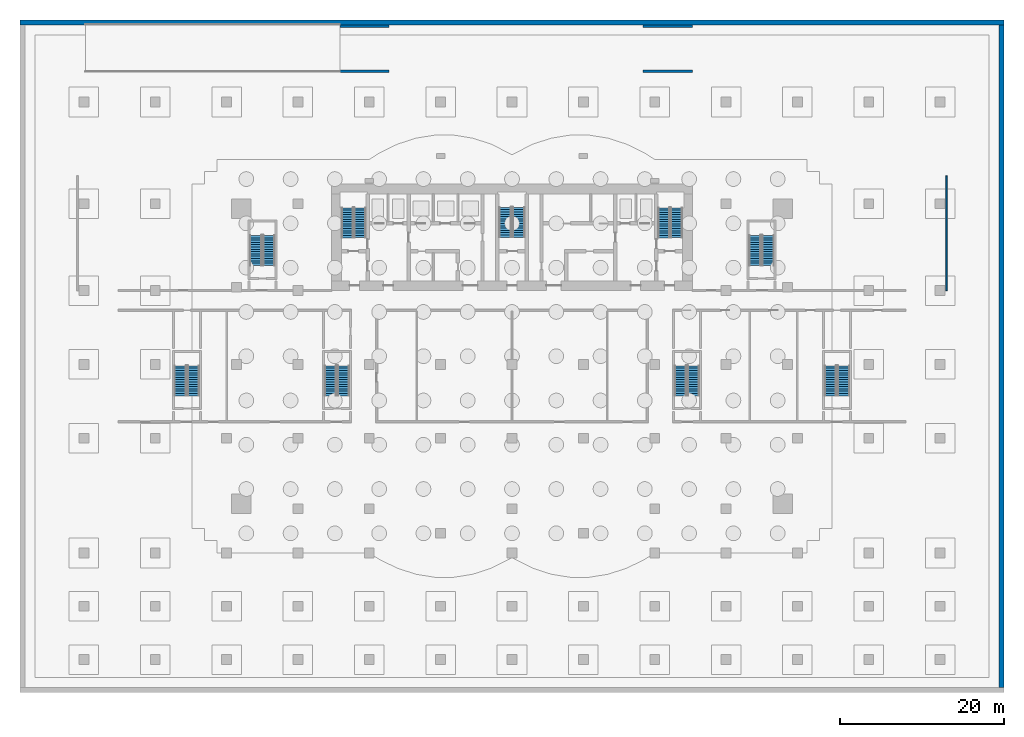
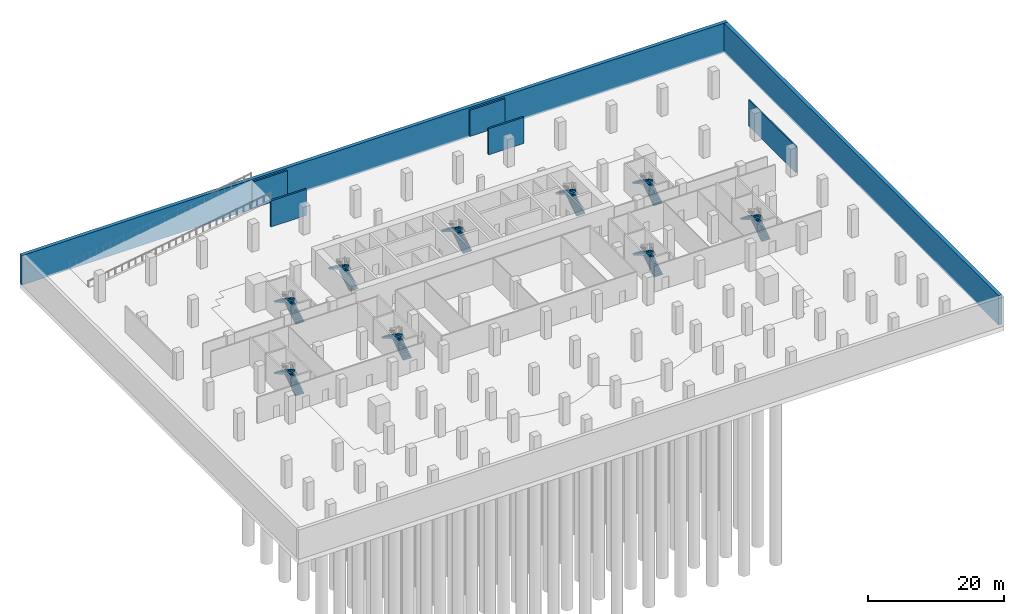
# One storey, part 7 of 10: 18 stair flights, 7 walls, 9 elements without a shape of their own.
"""IFC4 building model written with IfcOpenShell, lengths in metres."""

import ifcopenshell
import ifcopenshell.guid

model = None  # the IFC model being written
_history = None  # IfcOwnerHistory: only IFC2X3 demands one
_inside = {}  # id of a spatial element -> (the spatial element, [elements in it])
_under = {}  # id of a project, library or spatial element -> (it, [spatial elements below it])
_declared = {}  # id of a project -> (the project, [libraries it declares])
_typed = {}  # id of a type object -> (the type object, [elements of that type])
_made_of = {}  # id of a material, layer set ... -> (it, [elements and type objects made of it])


def new_model(schema):
    """Start an empty IFC model of exactly this schema.

    Asked for "IFC4X3", IfcOpenShell would pick the latest addendum, in which some entities
    have other attributes; the version numbers below select the first issue.
    IFC2X3 requires an IfcOwnerHistory on every rooted entity: one is made here for all.
    """
    global model, _history
    if schema == "IFC4X3":
        model = ifcopenshell.file(schema_version=(4, 3, 0, 0))
    else:
        model = ifcopenshell.file(schema=schema)
    _inside.clear()
    _under.clear()
    _declared.clear()
    _typed.clear()
    _made_of.clear()
    _history = None
    if model.schema == "IFC2X3":
        org = make("IfcOrganization", Name="unknown")
        user = make(
            "IfcPersonAndOrganization",
            ThePerson=make("IfcPerson", FamilyName="unknown"),
            TheOrganization=org,
        )
        app = make(
            "IfcApplication",
            ApplicationDeveloper=org,
            Version="unknown",
            ApplicationFullName="unknown",
            ApplicationIdentifier="unknown",
        )
        _history = make(
            "IfcOwnerHistory",
            OwningUser=user,
            OwningApplication=app,
            ChangeAction="ADDED",
            CreationDate=0,
        )
    return model


def make(cls, **values):
    """One entity of the class cls with the attributes given. An attribute that is None is left unset."""
    return model.create_entity(
        cls, **{name: value for name, value in values.items() if value is not None}
    )


def rooted(cls, **values):
    """An entity with a GlobalId (a new one), such as an element, a storey or a relation."""
    return make(cls, GlobalId=ifcopenshell.guid.new(), OwnerHistory=_history, **values)


def si_unit(unit_type, name, prefix=None):
    """IfcSIUnit, for example si_unit("LENGTHUNIT", "METRE", prefix="MILLI")."""
    return make("IfcSIUnit", UnitType=unit_type, Prefix=prefix, Name=name)


def assignment(units):
    """IfcUnitAssignment: the units of a project."""
    return None if units is None else make("IfcUnitAssignment", Units=units)


def point(xyz):
    """IfcCartesianPoint."""
    return None if xyz is None else make("IfcCartesianPoint", Coordinates=xyz)


def direction(xyz):
    """IfcDirection."""
    return None if xyz is None else make("IfcDirection", DirectionRatios=xyz)


def frame(location, z_axis=None, x_axis=None):
    """IfcAxis2Placement3D, a coordinate frame: its origin and axes. An axis left out is left unset."""
    return make(
        "IfcAxis2Placement3D",
        Location=point(location),
        Axis=direction(z_axis),
        RefDirection=direction(x_axis),
    )


def frame_2d(location, x_axis=None):
    """IfcAxis2Placement2D, a coordinate frame in the plane: its origin and x axis."""
    return make(
        "IfcAxis2Placement2D", Location=point(location), RefDirection=direction(x_axis)
    )


def origin():
    """The frame at (0, 0, 0) with its axes left unset."""
    return frame((0.0, 0.0, 0.0))


def place(relative_to, where):
    """IfcLocalPlacement: puts the frame where relative to a parent placement (None: the world)."""
    return make(
        "IfcLocalPlacement", PlacementRelTo=relative_to, RelativePlacement=where
    )


def context(
    kind, dimensions, precision=None, world=None, true_north=None, identifier=None
):
    """IfcGeometricRepresentationContext, for example the 3D "Model" context."""
    return make(
        "IfcGeometricRepresentationContext",
        ContextIdentifier=identifier,
        ContextType=kind,
        CoordinateSpaceDimension=dimensions,
        Precision=precision,
        WorldCoordinateSystem=world,
        TrueNorth=true_north,
    )


def subcontext(parent, identifier, kind, view, scale=None):
    """IfcGeometricRepresentationSubContext, for example "Body" below "Model"."""
    return make(
        "IfcGeometricRepresentationSubContext",
        ContextIdentifier=identifier,
        ContextType=kind,
        ParentContext=parent,
        TargetScale=scale,
        TargetView=view,
    )


def project(units=None, contexts=None):
    """IfcProject with its units and contexts."""
    return rooted(
        "IfcProject",
        Name="project",
        RepresentationContexts=contexts,
        UnitsInContext=assignment(units),
    )


def spatial(cls, under=None, at=None, **own):
    """A site, building, storey or space (cls), placed at a placement, below another one or the project."""
    s = rooted(cls, ObjectPlacement=at, **own)
    if under is not None:
        _under.setdefault(under.id(), (under, []))[1].append(s)
    return s


def polyline(points):
    """IfcPolyline through the points."""
    return make("IfcPolyline", Points=[point(p) for p in points])


def profile(cls, at=None, kind="AREA", **sizes):
    """A parametric profile (cls). Its sizes go by their IFC names, for example OverallWidth=200.0."""
    return make(cls, ProfileType=kind, Position=at, **sizes)


def rectangle(**sizes):
    """IfcRectangleProfileDef."""
    return profile("IfcRectangleProfileDef", **sizes)


def outline(outer, holes=None, kind="AREA"):
    """IfcArbitraryClosedProfileDef: a profile drawn as a closed curve; with holes, ...WithVoids."""
    if holes is None:
        return make("IfcArbitraryClosedProfileDef", ProfileType=kind, OuterCurve=outer)
    return make(
        "IfcArbitraryProfileDefWithVoids",
        ProfileType=kind,
        OuterCurve=outer,
        InnerCurves=holes,
    )


def extrude(swept, where, along, depth):
    """IfcExtrudedAreaSolid: the profile swept, set in the frame where, extruded along a direction by depth."""
    return make(
        "IfcExtrudedAreaSolid",
        SweptArea=swept,
        Position=where,
        ExtrudedDirection=direction(along),
        Depth=depth,
    )


def shape(context_of_items, identifier, shape_type, items):
    """IfcShapeRepresentation: the items that make up one representation, for example the "Body"."""
    return make(
        "IfcShapeRepresentation",
        ContextOfItems=context_of_items,
        RepresentationIdentifier=identifier,
        RepresentationType=shape_type,
        Items=items,
    )


def material(Name=None, Category=None):
    """IfcMaterial."""
    return make("IfcMaterial", Name=Name, Category=Category)


def layer(
    of_material, thickness, ventilated=None, Name=None, Category=None, Priority=None
):
    """IfcMaterialLayer: one layer of a wall or slab, of a material (None: an air gap)."""
    return make(
        "IfcMaterialLayer",
        Material=of_material,
        LayerThickness=thickness,
        IsVentilated=ventilated,
        Name=Name,
        Category=Category,
        Priority=Priority,
    )


def layer_set(layers, Name=None):
    """IfcMaterialLayerSet."""
    return make("IfcMaterialLayerSet", MaterialLayers=layers, LayerSetName=Name)


def layer_usage(for_layer_set, set_direction, sense, offset, extent=None):
    """IfcMaterialLayerSetUsage: how a layer set lies in its element."""
    return make(
        "IfcMaterialLayerSetUsage",
        ForLayerSet=for_layer_set,
        LayerSetDirection=set_direction,
        DirectionSense=sense,
        OffsetFromReferenceLine=offset,
        ReferenceExtent=extent,
    )


def made_of(thing, what):
    """Note that an element or type object is made of a material, layer set ...; save() writes the relation."""
    if what is not None:
        _made_of.setdefault(what.id(), (what, []))[1].append(thing)
    return thing


def type_object(cls, material=None, **own):
    """A type object (cls), such as IfcWallType, which elements share."""
    return made_of(rooted(cls, **own), material)


def element(
    cls,
    number,
    at=None,
    inside=None,
    cuts=None,
    type_object=None,
    material=None,
    context=None,
    identifier="Body",
    shape_type=None,
    held_by="IfcProductDefinitionShape",
    body=None,
    shapes=None,
    **own,
):
    """One element of the class cls, such as IfcWall. Its Tag is "e" and its number.

    at: its placement. inside: the storey or other place that contains it. cuts: it is an
    opening in that element (IfcRelVoidsElement). A single representation is given by context,
    identifier, shape_type and body (its items); several are given by shapes. held_by: the class
    of the entity that holds the representations. save() writes the other relations.
    """
    e = rooted(cls, Tag="e%d" % number, ObjectPlacement=at, **own)
    if body is not None:
        shapes = [shape(context, identifier, shape_type, body)]
    if shapes is not None:
        e.Representation = make(held_by, Representations=shapes)
    if inside is not None:
        _inside.setdefault(inside.id(), (inside, []))[1].append(e)
    if cuts is not None:
        rooted(
            "IfcRelVoidsElement", RelatingBuildingElement=cuts, RelatedOpeningElement=e
        )
    if type_object is not None:
        _typed.setdefault(type_object.id(), (type_object, []))[1].append(e)
    return made_of(e, material)


def aggregate(whole, parts):
    """IfcRelAggregates: a whole, such as a stair, and the parts it consists of."""
    return rooted("IfcRelAggregates", RelatingObject=whole, RelatedObjects=parts)


def save(model, path):
    """Write the relations noted so far, then the file.

    IfcRelAggregates (storeys below a building ...), IfcRelContainedInSpatialStructure (elements
    in a storey), IfcRelDefinesByType, IfcRelAssociatesMaterial and IfcRelDeclares: one each for
    every whole, place, type object, material and project.
    """
    for whole, parts in _under.values():
        aggregate(whole, parts)
    for where, things in _inside.values():
        rooted(
            "IfcRelContainedInSpatialStructure",
            RelatedElements=things,
            RelatingStructure=where,
        )
    for kind, things in _typed.values():
        rooted("IfcRelDefinesByType", RelatedObjects=things, RelatingType=kind)
    for what, things in _made_of.values():
        rooted("IfcRelAssociatesMaterial", RelatedObjects=things, RelatingMaterial=what)
    for by, libraries in _declared.values():
        rooted("IfcRelDeclares", RelatingContext=by, RelatedDefinitions=libraries)
    model.write(path)


model = new_model("IFC4")

# Units and contexts
model_context = context("Model", 3, precision=1e-05, world=origin(), true_north=direction((0.0, 1.0)))
body_context = subcontext(model_context, "Body", "Model", "MODEL_VIEW")
ifc_project = project(units=[si_unit("LENGTHUNIT", "METRE"), si_unit("AREAUNIT", "SQUARE_METRE"), si_unit("VOLUMEUNIT", "CUBIC_METRE"), si_unit("PLANEANGLEUNIT", "RADIAN"), si_unit("MASSUNIT", "GRAM", prefix="KILO")], contexts=[model_context])

# Site, building, storey
site_placement = place(None, origin())
site = spatial("IfcSite", under=ifc_project, at=site_placement, CompositionType="ELEMENT")
building_placement = place(site_placement, origin())
building = spatial("IfcBuilding", under=site, at=building_placement, Name="Bicima Exchange Tower", CompositionType="ELEMENT")
storey_placement = place(building_placement, frame((0.0, 0.0, -15.0)))
storey = spatial("IfcBuildingStorey", under=building, at=storey_placement, Name="B3", CompositionType="ELEMENT", Elevation=-15.0)

# Walls
ifc_material_1 = material(Name="Concrete C40/50", Category="concrete")
ifc_layer_1 = layer(ifc_material_1, 0.60009765625)
ifc_layer_set_1 = layer_set([ifc_layer_1], Name="Concrete C40/50")
wall_type_1 = type_object("IfcWallType", Name="Basement retaining wall 600", PredefinedType="SOLIDWALL", material=ifc_layer_set_1)
wall_1_placement = place(storey_placement, frame((-60.0, 19.699951171875, -0.300048828125), z_axis=(0.0, 0.0, 1.0), x_axis=(1.0, 0.0, 0.0)))
element("IfcWall", 1, at=wall_1_placement, inside=storey, type_object=wall_type_1, Name="Retaining wall north", PredefinedType="SOLIDWALL", context=body_context, shape_type="SweptSolid", body=[
    extrude(rectangle(XDim=120.0, YDim=0.60009765625, at=frame_2d((60.0, 0.0))), origin(), (0.0, 0.0, 1.0), 5.300048828125),
])
wall_2_placement = place(storey_placement, frame((59.699951171875, -61.39990234375, -0.300048828125), z_axis=(0.0, 0.0, 1.0), x_axis=(0.0, 1.0, 0.0)))
element("IfcWall", 2, at=wall_2_placement, inside=storey, type_object=wall_type_1, Name="Retaining wall east", PredefinedType="SOLIDWALL", context=body_context, shape_type="SweptSolid", body=[
    extrude(rectangle(XDim=80.7998046875, YDim=0.60009765625, at=frame_2d((40.39990234375, 0.0))), origin(), (0.0, 0.0, 1.0), 5.300048828125),
])
ifc_material_2 = material(Name="Gypsum board partition")
ifc_layer_2 = layer(ifc_material_2, 0.199951171875)
ifc_layer_set_2 = layer_set([ifc_layer_2], Name="Gypsum board partition")
wall_type_2 = type_object("IfcWallType", Name="Fire-rated gypsum partition 200 EI60", PredefinedType="PARTITIONING", material=ifc_layer_set_2)
wall_3_placement = place(storey_placement, frame((53.0, -13.0, 0.0), z_axis=(0.0, 0.0, 1.0), x_axis=(0.0, 1.0, 0.0)))
element("IfcWall", 3, at=wall_3_placement, inside=storey, type_object=wall_type_2, Name="partition wall 44", PredefinedType="PARTITIONING", context=body_context, shape_type="SweptSolid", body=[
    extrude(rectangle(XDim=14.0, YDim=0.199951171875, at=frame_2d((7.0, 0.0))), origin(), (0.0, 0.0, 1.0), 4.699951171875),
])
ifc_layer_3 = layer(ifc_material_1, 0.3)
ifc_layer_set_3 = layer_set([ifc_layer_3], Name="Concrete C40/50")
ifc_layer_usage = layer_usage(ifc_layer_set_3, "AXIS2", "POSITIVE", -0.15)
wall_type_3 = type_object("IfcWallType", Name="Ramp support wall 300", PredefinedType="SOLIDWALL", material=ifc_layer_set_3)
for number, where, z_axis, x_axis, name in (
    (4, (-21.0, 13.75, 0.0), (0.0, 0.0, 1.0), (1.0, 0.0, 0.0), "Ramp pad support wall south 2"),
    (5, (-21.0, 19.25, 0.0), (0.0, 0.0, 1.0), (1.0, 0.0, 0.0), "Ramp pad support wall north 2"),
    (6, (16.0, 13.75, 0.0), (0.0, 0.0, 1.0), (1.0, 0.0, 0.0), "Ramp pad support wall south 3"),
    (7, (16.0, 19.25, 0.0), (0.0, 0.0, 1.0), (1.0, 0.0, 0.0), "Ramp pad support wall north 3"),
):
    element("IfcWall", number, at=place(storey_placement, frame(where, z_axis=z_axis, x_axis=x_axis)), inside=storey, type_object=wall_type_3, material=ifc_layer_usage, Name=name, PredefinedType="SOLIDWALL", context=body_context, shape_type="SweptSolid", body=[
        extrude(rectangle(XDim=6.0, YDim=0.300048828125, at=frame_2d((3.0, 0.0))), origin(), (0.0, 0.0, 1.0), 4.699951171875),
    ])

# Stair, stair flights
ifc_material_3 = material(Name="Concrete C50/60", Category="concrete")
stair_type_1 = type_object("IfcStairType", Name="Exit stair", PredefinedType="HALF_TURN_STAIR", material=ifc_material_3)
stair_1_placement = place(storey_placement, origin())
stair_1 = element("IfcStair", 8, at=stair_1_placement, inside=storey, type_object=stair_type_1, Name="B3 West exit stair", PredefinedType="HALF_TURN_STAIR")
stair_flight_type_1 = type_object("IfcStairFlightType", Name="Stair flight RC", PredefinedType="STRAIGHT", material=ifc_material_3)
stair_flight_1_placement = place(storey_placement, frame((-18.52490234375, -6.550048828125, 0.0), z_axis=(0.0, 0.0, 1.0), x_axis=(0.0, 1.0, 0.0)))
stair_flight_1 = element("IfcStairFlight", 9, at=stair_flight_1_placement, type_object=stair_flight_type_1, Name="ST-W flight 1", NumberOfRisers=14, NumberOfTreads=13, PredefinedType="STRAIGHT", RiserHeight=0.178571429, TreadLength=0.28, context=body_context, shape_type="SweptSolid", body=[
    extrude(outline(polyline([(0.0, 0.0), (0.0, 0.178466796875), (0.280029296875, 0.178466796875), (0.280029296875, 0.357177734375), (0.56005859375, 0.357177734375), (0.56005859375, 0.53564453125), (0.840087890625, 0.53564453125), (0.840087890625, 0.71435546875), (1.1201171875, 0.71435546875), (1.1201171875, 0.892822265625), (1.39990234375, 0.892822265625), (1.39990234375, 1.071533203125), (1.679931640625, 1.071533203125), (1.679931640625, 1.25), (1.9599609375, 1.25), (1.9599609375, 1.428466796875), (2.239990234375, 1.428466796875), (2.239990234375, 1.607177734375), (2.52001953125, 1.607177734375), (2.52001953125, 1.78564453125), (2.800048828125, 1.78564453125), (2.800048828125, 1.96435546875), (3.080078125, 1.96435546875), (3.080078125, 2.142822265625), (3.360107421875, 2.142822265625), (3.360107421875, 2.321533203125), (3.639892578125, 2.321533203125), (3.639892578125, 2.5), (3.639892578125, 2.1435546875), (0.27880859375, 0.0), (0.0, 0.0)])), frame((0.0, 0.72509765625, 0.0), z_axis=(0.0, -1.0, 0.0), x_axis=(1.0, 0.0, 0.0)), (0.0, 0.0, 1.0), 1.449951171875),
])
stair_flight_2_placement = place(storey_placement, frame((-20.074951171875, -2.909912109375, 2.5), z_axis=(0.0, 0.0, 1.0), x_axis=(0.0, -1.0, 0.0)))
stair_flight_2 = element("IfcStairFlight", 10, at=stair_flight_2_placement, type_object=stair_flight_type_1, Name="ST-W flight 2", NumberOfRisers=14, NumberOfTreads=13, PredefinedType="STRAIGHT", RiserHeight=0.178571429, TreadLength=0.28, context=body_context, shape_type="SweptSolid", body=[
    extrude(outline(polyline([(0.0, 0.0), (0.0, 0.178466796875), (0.280029296875, 0.178466796875), (0.280029296875, 0.357177734375), (0.56005859375, 0.357177734375), (0.56005859375, 0.53564453125), (0.840087890625, 0.53564453125), (0.840087890625, 0.71435546875), (1.1201171875, 0.71435546875), (1.1201171875, 0.892822265625), (1.39990234375, 0.892822265625), (1.39990234375, 1.071533203125), (1.679931640625, 1.071533203125), (1.679931640625, 1.25), (1.9599609375, 1.25), (1.9599609375, 1.428466796875), (2.239990234375, 1.428466796875), (2.239990234375, 1.607177734375), (2.52001953125, 1.607177734375), (2.52001953125, 1.78564453125), (2.800048828125, 1.78564453125), (2.800048828125, 1.96435546875), (3.080078125, 1.96435546875), (3.080078125, 2.142822265625), (3.360107421875, 2.142822265625), (3.360107421875, 2.321533203125), (3.639892578125, 2.321533203125), (3.655029296875, 2.321533203125), (3.655029296875, 1.974609375), (0.27880859375, 0.0), (0.0, 0.0)])), frame((0.0, 0.72509765625, 0.0), z_axis=(0.0, -1.0, 0.0), x_axis=(1.0, 0.0, 0.0)), (0.0, 0.0, 1.0), 1.449951171875),
])
aggregate(stair_1, [stair_flight_1, stair_flight_2])

stair_2_placement = place(storey_placement, origin())
stair_2 = element("IfcStair", 11, at=stair_2_placement, inside=storey, type_object=stair_type_1, Name="B3 East exit stair", PredefinedType="HALF_TURN_STAIR")
stair_flight_3_placement = place(storey_placement, frame((20.074951171875, -6.550048828125, 0.0), z_axis=(0.0, 0.0, 1.0), x_axis=(0.0, 1.0, 0.0)))
stair_flight_3 = element("IfcStairFlight", 12, at=stair_flight_3_placement, type_object=stair_flight_type_1, Name="ST-E flight 1", NumberOfRisers=14, NumberOfTreads=13, PredefinedType="STRAIGHT", RiserHeight=0.178571429, TreadLength=0.28, context=body_context, shape_type="SweptSolid", body=[
    extrude(outline(polyline([(0.0, 0.0), (0.0, 0.178466796875), (0.280029296875, 0.178466796875), (0.280029296875, 0.357177734375), (0.56005859375, 0.357177734375), (0.56005859375, 0.53564453125), (0.840087890625, 0.53564453125), (0.840087890625, 0.71435546875), (1.1201171875, 0.71435546875), (1.1201171875, 0.892822265625), (1.39990234375, 0.892822265625), (1.39990234375, 1.071533203125), (1.679931640625, 1.071533203125), (1.679931640625, 1.25), (1.9599609375, 1.25), (1.9599609375, 1.428466796875), (2.239990234375, 1.428466796875), (2.239990234375, 1.607177734375), (2.52001953125, 1.607177734375), (2.52001953125, 1.78564453125), (2.800048828125, 1.78564453125), (2.800048828125, 1.96435546875), (3.080078125, 1.96435546875), (3.080078125, 2.142822265625), (3.360107421875, 2.142822265625), (3.360107421875, 2.321533203125), (3.639892578125, 2.321533203125), (3.639892578125, 2.5), (3.639892578125, 2.1435546875), (0.27880859375, 0.0), (0.0, 0.0)])), frame((0.0, 0.72509765625, 0.0), z_axis=(0.0, -1.0, 0.0), x_axis=(1.0, 0.0, 0.0)), (0.0, 0.0, 1.0), 1.449951171875),
])
stair_flight_4_placement = place(storey_placement, frame((18.52490234375, -2.909912109375, 2.5), z_axis=(0.0, 0.0, 1.0), x_axis=(0.0, -1.0, 0.0)))
stair_flight_4 = element("IfcStairFlight", 13, at=stair_flight_4_placement, type_object=stair_flight_type_1, Name="ST-E flight 2", NumberOfRisers=14, NumberOfTreads=13, PredefinedType="STRAIGHT", RiserHeight=0.178571429, TreadLength=0.28, context=body_context, shape_type="SweptSolid", body=[
    extrude(outline(polyline([(0.0, 0.0), (0.0, 0.178466796875), (0.280029296875, 0.178466796875), (0.280029296875, 0.357177734375), (0.56005859375, 0.357177734375), (0.56005859375, 0.53564453125), (0.840087890625, 0.53564453125), (0.840087890625, 0.71435546875), (1.1201171875, 0.71435546875), (1.1201171875, 0.892822265625), (1.39990234375, 0.892822265625), (1.39990234375, 1.071533203125), (1.679931640625, 1.071533203125), (1.679931640625, 1.25), (1.9599609375, 1.25), (1.9599609375, 1.428466796875), (2.239990234375, 1.428466796875), (2.239990234375, 1.607177734375), (2.52001953125, 1.607177734375), (2.52001953125, 1.78564453125), (2.800048828125, 1.78564453125), (2.800048828125, 1.96435546875), (3.080078125, 1.96435546875), (3.080078125, 2.142822265625), (3.360107421875, 2.142822265625), (3.360107421875, 2.321533203125), (3.639892578125, 2.321533203125), (3.655029296875, 2.321533203125), (3.655029296875, 1.974609375), (0.27880859375, 0.0), (0.0, 0.0)])), frame((0.0, 0.72509765625, 0.0), z_axis=(0.0, -1.0, 0.0), x_axis=(1.0, 0.0, 0.0)), (0.0, 0.0, 1.0), 1.449951171875),
])
aggregate(stair_2, [stair_flight_3, stair_flight_4])

stair_3_placement = place(storey_placement, origin())
stair_3 = element("IfcStair", 14, at=stair_3_placement, inside=storey, type_object=stair_type_1, Name="B3 West end exit stair", PredefinedType="HALF_TURN_STAIR")
stair_flight_5_placement = place(storey_placement, frame((-29.64990234375, -9.925048828125, 0.0), z_axis=(0.0, 0.0, 1.0), x_axis=(0.0, 1.0, 0.0)))
stair_flight_5 = element("IfcStairFlight", 15, at=stair_flight_5_placement, type_object=stair_flight_type_1, Name="ST-WW flight 1", NumberOfRisers=14, NumberOfTreads=13, PredefinedType="STRAIGHT", RiserHeight=0.178571429, TreadLength=0.28, context=body_context, shape_type="SweptSolid", body=[
    extrude(outline(polyline([(0.0, 0.0), (0.0, 0.178466796875), (0.280029296875, 0.178466796875), (0.280029296875, 0.357177734375), (0.56005859375, 0.357177734375), (0.56005859375, 0.53564453125), (0.840087890625, 0.53564453125), (0.840087890625, 0.71435546875), (1.1201171875, 0.71435546875), (1.1201171875, 0.892822265625), (1.39990234375, 0.892822265625), (1.39990234375, 1.071533203125), (1.679931640625, 1.071533203125), (1.679931640625, 1.25), (1.9599609375, 1.25), (1.9599609375, 1.428466796875), (2.239990234375, 1.428466796875), (2.239990234375, 1.607177734375), (2.52001953125, 1.607177734375), (2.52001953125, 1.78564453125), (2.800048828125, 1.78564453125), (2.800048828125, 1.96435546875), (3.080078125, 1.96435546875), (3.080078125, 2.142822265625), (3.360107421875, 2.142822265625), (3.360107421875, 2.321533203125), (3.639892578125, 2.321533203125), (3.639892578125, 2.5), (3.639892578125, 2.1435546875), (0.27880859375, 0.0), (0.0, 0.0)])), frame((0.0, 0.72509765625, 0.0), z_axis=(0.0, -1.0, 0.0), x_axis=(1.0, 0.0, 0.0)), (0.0, 0.0, 1.0), 1.449951171875),
])
stair_flight_6_placement = place(storey_placement, frame((-31.25, -6.284912109375, 2.5), z_axis=(0.0, 0.0, 1.0), x_axis=(0.0, -1.0, 0.0)))
stair_flight_6 = element("IfcStairFlight", 16, at=stair_flight_6_placement, type_object=stair_flight_type_1, Name="ST-WW flight 2", NumberOfRisers=14, NumberOfTreads=13, PredefinedType="STRAIGHT", RiserHeight=0.178571429, TreadLength=0.28, context=body_context, shape_type="SweptSolid", body=[
    extrude(outline(polyline([(0.0, 0.0), (0.0, 0.178466796875), (0.280029296875, 0.178466796875), (0.280029296875, 0.357177734375), (0.56005859375, 0.357177734375), (0.56005859375, 0.53564453125), (0.840087890625, 0.53564453125), (0.840087890625, 0.71435546875), (1.1201171875, 0.71435546875), (1.1201171875, 0.892822265625), (1.39990234375, 0.892822265625), (1.39990234375, 1.071533203125), (1.679931640625, 1.071533203125), (1.679931640625, 1.25), (1.9599609375, 1.25), (1.9599609375, 1.428466796875), (2.239990234375, 1.428466796875), (2.239990234375, 1.607177734375), (2.52001953125, 1.607177734375), (2.52001953125, 1.78564453125), (2.800048828125, 1.78564453125), (2.800048828125, 1.96435546875), (3.080078125, 1.96435546875), (3.080078125, 2.142822265625), (3.360107421875, 2.142822265625), (3.360107421875, 2.321533203125), (3.639892578125, 2.321533203125), (3.655029296875, 2.321533203125), (3.655029296875, 1.974609375), (0.27880859375, 0.0), (0.0, 0.0)])), frame((0.0, 0.72509765625, 0.0), z_axis=(0.0, -1.0, 0.0), x_axis=(1.0, 0.0, 0.0)), (0.0, 0.0, 1.0), 1.449951171875),
])
aggregate(stair_3, [stair_flight_5, stair_flight_6])

stair_4_placement = place(storey_placement, origin())
stair_4 = element("IfcStair", 17, at=stair_4_placement, inside=storey, type_object=stair_type_1, Name="B3 East end exit stair", PredefinedType="HALF_TURN_STAIR")
stair_flight_7_placement = place(storey_placement, frame((31.25, -9.925048828125, 0.0), z_axis=(0.0, 0.0, 1.0), x_axis=(0.0, 1.0, 0.0)))
stair_flight_7 = element("IfcStairFlight", 18, at=stair_flight_7_placement, type_object=stair_flight_type_1, Name="ST-EE flight 1", NumberOfRisers=14, NumberOfTreads=13, PredefinedType="STRAIGHT", RiserHeight=0.178571429, TreadLength=0.28, context=body_context, shape_type="SweptSolid", body=[
    extrude(outline(polyline([(0.0, 0.0), (0.0, 0.178466796875), (0.280029296875, 0.178466796875), (0.280029296875, 0.357177734375), (0.56005859375, 0.357177734375), (0.56005859375, 0.53564453125), (0.840087890625, 0.53564453125), (0.840087890625, 0.71435546875), (1.1201171875, 0.71435546875), (1.1201171875, 0.892822265625), (1.39990234375, 0.892822265625), (1.39990234375, 1.071533203125), (1.679931640625, 1.071533203125), (1.679931640625, 1.25), (1.9599609375, 1.25), (1.9599609375, 1.428466796875), (2.239990234375, 1.428466796875), (2.239990234375, 1.607177734375), (2.52001953125, 1.607177734375), (2.52001953125, 1.78564453125), (2.800048828125, 1.78564453125), (2.800048828125, 1.96435546875), (3.080078125, 1.96435546875), (3.080078125, 2.142822265625), (3.360107421875, 2.142822265625), (3.360107421875, 2.321533203125), (3.639892578125, 2.321533203125), (3.639892578125, 2.5), (3.639892578125, 2.1435546875), (0.27880859375, 0.0), (0.0, 0.0)])), frame((0.0, 0.72509765625, 0.0), z_axis=(0.0, -1.0, 0.0), x_axis=(1.0, 0.0, 0.0)), (0.0, 0.0, 1.0), 1.449951171875),
])
stair_flight_8_placement = place(storey_placement, frame((29.64990234375, -6.284912109375, 2.5), z_axis=(0.0, 0.0, 1.0), x_axis=(0.0, -1.0, 0.0)))
stair_flight_8 = element("IfcStairFlight", 19, at=stair_flight_8_placement, type_object=stair_flight_type_1, Name="ST-EE flight 2", NumberOfRisers=14, NumberOfTreads=13, PredefinedType="STRAIGHT", RiserHeight=0.178571429, TreadLength=0.28, context=body_context, shape_type="SweptSolid", body=[
    extrude(outline(polyline([(0.0, 0.0), (0.0, 0.178466796875), (0.280029296875, 0.178466796875), (0.280029296875, 0.357177734375), (0.56005859375, 0.357177734375), (0.56005859375, 0.53564453125), (0.840087890625, 0.53564453125), (0.840087890625, 0.71435546875), (1.1201171875, 0.71435546875), (1.1201171875, 0.892822265625), (1.39990234375, 0.892822265625), (1.39990234375, 1.071533203125), (1.679931640625, 1.071533203125), (1.679931640625, 1.25), (1.9599609375, 1.25), (1.9599609375, 1.428466796875), (2.239990234375, 1.428466796875), (2.239990234375, 1.607177734375), (2.52001953125, 1.607177734375), (2.52001953125, 1.78564453125), (2.800048828125, 1.78564453125), (2.800048828125, 1.96435546875), (3.080078125, 1.96435546875), (3.080078125, 2.142822265625), (3.360107421875, 2.142822265625), (3.360107421875, 2.321533203125), (3.639892578125, 2.321533203125), (3.655029296875, 2.321533203125), (3.655029296875, 1.974609375), (0.27880859375, 0.0), (0.0, 0.0)])), frame((0.0, 0.72509765625, 0.0), z_axis=(0.0, -1.0, 0.0), x_axis=(1.0, 0.0, 0.0)), (0.0, 0.0, 1.0), 1.449951171875),
])
aggregate(stair_4, [stair_flight_7, stair_flight_8])

stair_5_placement = place(storey_placement, origin())
stair_5 = element("IfcStair", 20, at=stair_5_placement, inside=storey, type_object=stair_type_1, Name="B3 Podium west stair", PredefinedType="HALF_TURN_STAIR")
stair_flight_9_placement = place(storey_placement, frame((-38.85009765625, -25.824951171875, 0.0), z_axis=(0.0, 0.0, 1.0), x_axis=(0.0, 1.0, 0.0)))
stair_flight_9 = element("IfcStairFlight", 21, at=stair_flight_9_placement, type_object=stair_flight_type_1, Name="PS-W flight 1", NumberOfRisers=14, NumberOfTreads=13, PredefinedType="STRAIGHT", RiserHeight=0.178571429, TreadLength=0.28, context=body_context, shape_type="SweptSolid", body=[
    extrude(outline(polyline([(0.0, 0.0), (0.0, 0.178466796875), (0.280029296875, 0.178466796875), (0.280029296875, 0.357177734375), (0.56005859375, 0.357177734375), (0.56005859375, 0.53564453125), (0.840087890625, 0.53564453125), (0.840087890625, 0.71435546875), (1.1201171875, 0.71435546875), (1.1201171875, 0.892822265625), (1.39990234375, 0.892822265625), (1.39990234375, 1.071533203125), (1.679931640625, 1.071533203125), (1.679931640625, 1.25), (1.9599609375, 1.25), (1.9599609375, 1.428466796875), (2.239990234375, 1.428466796875), (2.239990234375, 1.607177734375), (2.52001953125, 1.607177734375), (2.52001953125, 1.78564453125), (2.800048828125, 1.78564453125), (2.800048828125, 1.96435546875), (3.080078125, 1.96435546875), (3.080078125, 2.142822265625), (3.360107421875, 2.142822265625), (3.360107421875, 2.321533203125), (3.639892578125, 2.321533203125), (3.639892578125, 2.5), (3.639892578125, 2.1435546875), (0.27880859375, 0.0), (0.0, 0.0)])), frame((0.0, 0.72509765625, 0.0), z_axis=(0.0, -1.0, 0.0), x_axis=(1.0, 0.0, 0.0)), (0.0, 0.0, 1.0), 1.449951171875),
])
stair_flight_10_placement = place(storey_placement, frame((-40.449951171875, -22.18505859375, 2.5), z_axis=(0.0, 0.0, 1.0), x_axis=(0.0, -1.0, 0.0)))
stair_flight_10 = element("IfcStairFlight", 22, at=stair_flight_10_placement, type_object=stair_flight_type_1, Name="PS-W flight 2", NumberOfRisers=14, NumberOfTreads=13, PredefinedType="STRAIGHT", RiserHeight=0.178571429, TreadLength=0.28, context=body_context, shape_type="SweptSolid", body=[
    extrude(outline(polyline([(0.0, 0.0), (0.0, 0.178466796875), (0.280029296875, 0.178466796875), (0.280029296875, 0.357177734375), (0.56005859375, 0.357177734375), (0.56005859375, 0.53564453125), (0.840087890625, 0.53564453125), (0.840087890625, 0.71435546875), (1.1201171875, 0.71435546875), (1.1201171875, 0.892822265625), (1.39990234375, 0.892822265625), (1.39990234375, 1.071533203125), (1.679931640625, 1.071533203125), (1.679931640625, 1.25), (1.9599609375, 1.25), (1.9599609375, 1.428466796875), (2.239990234375, 1.428466796875), (2.239990234375, 1.607177734375), (2.52001953125, 1.607177734375), (2.52001953125, 1.78564453125), (2.800048828125, 1.78564453125), (2.800048828125, 1.96435546875), (3.080078125, 1.96435546875), (3.080078125, 2.142822265625), (3.360107421875, 2.142822265625), (3.360107421875, 2.321533203125), (3.639892578125, 2.321533203125), (3.655029296875, 2.321533203125), (3.655029296875, 1.974609375), (0.27880859375, 0.0), (0.0, 0.0)])), frame((0.0, 0.72509765625, 0.0), z_axis=(0.0, -1.0, 0.0), x_axis=(1.0, 0.0, 0.0)), (0.0, 0.0, 1.0), 1.449951171875),
])
aggregate(stair_5, [stair_flight_9, stair_flight_10])

stair_6_placement = place(storey_placement, origin())
stair_6 = element("IfcStair", 23, at=stair_6_placement, inside=storey, type_object=stair_type_1, Name="B3 Podium inner west stair", PredefinedType="HALF_TURN_STAIR")
stair_flight_11_placement = place(storey_placement, frame((-20.550048828125, -25.824951171875, 0.0), z_axis=(0.0, 0.0, 1.0), x_axis=(0.0, 1.0, 0.0)))
stair_flight_11 = element("IfcStairFlight", 24, at=stair_flight_11_placement, type_object=stair_flight_type_1, Name="PS-WI flight 1", NumberOfRisers=14, NumberOfTreads=13, PredefinedType="STRAIGHT", RiserHeight=0.178571429, TreadLength=0.28, context=body_context, shape_type="SweptSolid", body=[
    extrude(outline(polyline([(0.0, 0.0), (0.0, 0.178466796875), (0.280029296875, 0.178466796875), (0.280029296875, 0.357177734375), (0.56005859375, 0.357177734375), (0.56005859375, 0.53564453125), (0.840087890625, 0.53564453125), (0.840087890625, 0.71435546875), (1.1201171875, 0.71435546875), (1.1201171875, 0.892822265625), (1.39990234375, 0.892822265625), (1.39990234375, 1.071533203125), (1.679931640625, 1.071533203125), (1.679931640625, 1.25), (1.9599609375, 1.25), (1.9599609375, 1.428466796875), (2.239990234375, 1.428466796875), (2.239990234375, 1.607177734375), (2.52001953125, 1.607177734375), (2.52001953125, 1.78564453125), (2.800048828125, 1.78564453125), (2.800048828125, 1.96435546875), (3.080078125, 1.96435546875), (3.080078125, 2.142822265625), (3.360107421875, 2.142822265625), (3.360107421875, 2.321533203125), (3.639892578125, 2.321533203125), (3.639892578125, 2.5), (3.639892578125, 2.1435546875), (0.27880859375, 0.0), (0.0, 0.0)])), frame((0.0, 0.72509765625, 0.0), z_axis=(0.0, -1.0, 0.0), x_axis=(1.0, 0.0, 0.0)), (0.0, 0.0, 1.0), 1.449951171875),
])
stair_flight_12_placement = place(storey_placement, frame((-22.14990234375, -22.18505859375, 2.5), z_axis=(0.0, 0.0, 1.0), x_axis=(0.0, -1.0, 0.0)))
stair_flight_12 = element("IfcStairFlight", 25, at=stair_flight_12_placement, type_object=stair_flight_type_1, Name="PS-WI flight 2", NumberOfRisers=14, NumberOfTreads=13, PredefinedType="STRAIGHT", RiserHeight=0.178571429, TreadLength=0.28, context=body_context, shape_type="SweptSolid", body=[
    extrude(outline(polyline([(0.0, 0.0), (0.0, 0.178466796875), (0.280029296875, 0.178466796875), (0.280029296875, 0.357177734375), (0.56005859375, 0.357177734375), (0.56005859375, 0.53564453125), (0.840087890625, 0.53564453125), (0.840087890625, 0.71435546875), (1.1201171875, 0.71435546875), (1.1201171875, 0.892822265625), (1.39990234375, 0.892822265625), (1.39990234375, 1.071533203125), (1.679931640625, 1.071533203125), (1.679931640625, 1.25), (1.9599609375, 1.25), (1.9599609375, 1.428466796875), (2.239990234375, 1.428466796875), (2.239990234375, 1.607177734375), (2.52001953125, 1.607177734375), (2.52001953125, 1.78564453125), (2.800048828125, 1.78564453125), (2.800048828125, 1.96435546875), (3.080078125, 1.96435546875), (3.080078125, 2.142822265625), (3.360107421875, 2.142822265625), (3.360107421875, 2.321533203125), (3.639892578125, 2.321533203125), (3.655029296875, 2.321533203125), (3.655029296875, 1.974609375), (0.27880859375, 0.0), (0.0, 0.0)])), frame((0.0, 0.72509765625, 0.0), z_axis=(0.0, -1.0, 0.0), x_axis=(1.0, 0.0, 0.0)), (0.0, 0.0, 1.0), 1.449951171875),
])
aggregate(stair_6, [stair_flight_11, stair_flight_12])

stair_7_placement = place(storey_placement, origin())
stair_7 = element("IfcStair", 26, at=stair_7_placement, inside=storey, type_object=stair_type_1, Name="B3 Podium inner east stair", PredefinedType="HALF_TURN_STAIR")
stair_flight_13_placement = place(storey_placement, frame((22.14990234375, -25.824951171875, 0.0), z_axis=(0.0, 0.0, 1.0), x_axis=(0.0, 1.0, 0.0)))
stair_flight_13 = element("IfcStairFlight", 27, at=stair_flight_13_placement, type_object=stair_flight_type_1, Name="PS-EI flight 1", NumberOfRisers=14, NumberOfTreads=13, PredefinedType="STRAIGHT", RiserHeight=0.178571429, TreadLength=0.28, context=body_context, shape_type="SweptSolid", body=[
    extrude(outline(polyline([(0.0, 0.0), (0.0, 0.178466796875), (0.280029296875, 0.178466796875), (0.280029296875, 0.357177734375), (0.56005859375, 0.357177734375), (0.56005859375, 0.53564453125), (0.840087890625, 0.53564453125), (0.840087890625, 0.71435546875), (1.1201171875, 0.71435546875), (1.1201171875, 0.892822265625), (1.39990234375, 0.892822265625), (1.39990234375, 1.071533203125), (1.679931640625, 1.071533203125), (1.679931640625, 1.25), (1.9599609375, 1.25), (1.9599609375, 1.428466796875), (2.239990234375, 1.428466796875), (2.239990234375, 1.607177734375), (2.52001953125, 1.607177734375), (2.52001953125, 1.78564453125), (2.800048828125, 1.78564453125), (2.800048828125, 1.96435546875), (3.080078125, 1.96435546875), (3.080078125, 2.142822265625), (3.360107421875, 2.142822265625), (3.360107421875, 2.321533203125), (3.639892578125, 2.321533203125), (3.639892578125, 2.5), (3.639892578125, 2.1435546875), (0.27880859375, 0.0), (0.0, 0.0)])), frame((0.0, 0.72509765625, 0.0), z_axis=(0.0, -1.0, 0.0), x_axis=(1.0, 0.0, 0.0)), (0.0, 0.0, 1.0), 1.449951171875),
])
stair_flight_14_placement = place(storey_placement, frame((20.550048828125, -22.18505859375, 2.5), z_axis=(0.0, 0.0, 1.0), x_axis=(0.0, -1.0, 0.0)))
stair_flight_14 = element("IfcStairFlight", 28, at=stair_flight_14_placement, type_object=stair_flight_type_1, Name="PS-EI flight 2", NumberOfRisers=14, NumberOfTreads=13, PredefinedType="STRAIGHT", RiserHeight=0.178571429, TreadLength=0.28, context=body_context, shape_type="SweptSolid", body=[
    extrude(outline(polyline([(0.0, 0.0), (0.0, 0.178466796875), (0.280029296875, 0.178466796875), (0.280029296875, 0.357177734375), (0.56005859375, 0.357177734375), (0.56005859375, 0.53564453125), (0.840087890625, 0.53564453125), (0.840087890625, 0.71435546875), (1.1201171875, 0.71435546875), (1.1201171875, 0.892822265625), (1.39990234375, 0.892822265625), (1.39990234375, 1.071533203125), (1.679931640625, 1.071533203125), (1.679931640625, 1.25), (1.9599609375, 1.25), (1.9599609375, 1.428466796875), (2.239990234375, 1.428466796875), (2.239990234375, 1.607177734375), (2.52001953125, 1.607177734375), (2.52001953125, 1.78564453125), (2.800048828125, 1.78564453125), (2.800048828125, 1.96435546875), (3.080078125, 1.96435546875), (3.080078125, 2.142822265625), (3.360107421875, 2.142822265625), (3.360107421875, 2.321533203125), (3.639892578125, 2.321533203125), (3.655029296875, 2.321533203125), (3.655029296875, 1.974609375), (0.27880859375, 0.0), (0.0, 0.0)])), frame((0.0, 0.72509765625, 0.0), z_axis=(0.0, -1.0, 0.0), x_axis=(1.0, 0.0, 0.0)), (0.0, 0.0, 1.0), 1.449951171875),
])
aggregate(stair_7, [stair_flight_13, stair_flight_14])

stair_8_placement = place(storey_placement, origin())
stair_8 = element("IfcStair", 29, at=stair_8_placement, inside=storey, type_object=stair_type_1, Name="B3 Podium east stair", PredefinedType="HALF_TURN_STAIR")
stair_flight_15_placement = place(storey_placement, frame((40.449951171875, -25.824951171875, 0.0), z_axis=(0.0, 0.0, 1.0), x_axis=(0.0, 1.0, 0.0)))
stair_flight_15 = element("IfcStairFlight", 30, at=stair_flight_15_placement, type_object=stair_flight_type_1, Name="PS-E flight 1", NumberOfRisers=14, NumberOfTreads=13, PredefinedType="STRAIGHT", RiserHeight=0.178571429, TreadLength=0.28, context=body_context, shape_type="SweptSolid", body=[
    extrude(outline(polyline([(0.0, 0.0), (0.0, 0.178466796875), (0.280029296875, 0.178466796875), (0.280029296875, 0.357177734375), (0.56005859375, 0.357177734375), (0.56005859375, 0.53564453125), (0.840087890625, 0.53564453125), (0.840087890625, 0.71435546875), (1.1201171875, 0.71435546875), (1.1201171875, 0.892822265625), (1.39990234375, 0.892822265625), (1.39990234375, 1.071533203125), (1.679931640625, 1.071533203125), (1.679931640625, 1.25), (1.9599609375, 1.25), (1.9599609375, 1.428466796875), (2.239990234375, 1.428466796875), (2.239990234375, 1.607177734375), (2.52001953125, 1.607177734375), (2.52001953125, 1.78564453125), (2.800048828125, 1.78564453125), (2.800048828125, 1.96435546875), (3.080078125, 1.96435546875), (3.080078125, 2.142822265625), (3.360107421875, 2.142822265625), (3.360107421875, 2.321533203125), (3.639892578125, 2.321533203125), (3.639892578125, 2.5), (3.639892578125, 2.1435546875), (0.27880859375, 0.0), (0.0, 0.0)])), frame((0.0, 0.72509765625, 0.0), z_axis=(0.0, -1.0, 0.0), x_axis=(1.0, 0.0, 0.0)), (0.0, 0.0, 1.0), 1.449951171875),
])
stair_flight_16_placement = place(storey_placement, frame((38.85009765625, -22.18505859375, 2.5), z_axis=(0.0, 0.0, 1.0), x_axis=(0.0, -1.0, 0.0)))
stair_flight_16 = element("IfcStairFlight", 31, at=stair_flight_16_placement, type_object=stair_flight_type_1, Name="PS-E flight 2", NumberOfRisers=14, NumberOfTreads=13, PredefinedType="STRAIGHT", RiserHeight=0.178571429, TreadLength=0.28, context=body_context, shape_type="SweptSolid", body=[
    extrude(outline(polyline([(0.0, 0.0), (0.0, 0.178466796875), (0.280029296875, 0.178466796875), (0.280029296875, 0.357177734375), (0.56005859375, 0.357177734375), (0.56005859375, 0.53564453125), (0.840087890625, 0.53564453125), (0.840087890625, 0.71435546875), (1.1201171875, 0.71435546875), (1.1201171875, 0.892822265625), (1.39990234375, 0.892822265625), (1.39990234375, 1.071533203125), (1.679931640625, 1.071533203125), (1.679931640625, 1.25), (1.9599609375, 1.25), (1.9599609375, 1.428466796875), (2.239990234375, 1.428466796875), (2.239990234375, 1.607177734375), (2.52001953125, 1.607177734375), (2.52001953125, 1.78564453125), (2.800048828125, 1.78564453125), (2.800048828125, 1.96435546875), (3.080078125, 1.96435546875), (3.080078125, 2.142822265625), (3.360107421875, 2.142822265625), (3.360107421875, 2.321533203125), (3.639892578125, 2.321533203125), (3.655029296875, 2.321533203125), (3.655029296875, 1.974609375), (0.27880859375, 0.0), (0.0, 0.0)])), frame((0.0, 0.72509765625, 0.0), z_axis=(0.0, -1.0, 0.0), x_axis=(1.0, 0.0, 0.0)), (0.0, 0.0, 1.0), 1.449951171875),
])
aggregate(stair_8, [stair_flight_15, stair_flight_16])

stair_type_2 = type_object("IfcStairType", Name="Exit stair 1500", PredefinedType="HALF_TURN_STAIR", material=ifc_material_3)
stair_9_placement = place(storey_placement, origin())
stair_9 = element("IfcStair", 32, at=stair_9_placement, inside=storey, type_object=stair_type_2, Name="B3 Central exit stair", PredefinedType="HALF_TURN_STAIR")
stair_flight_type_2 = type_object("IfcStairFlightType", Name="Stair flight RC 1500", PredefinedType="STRAIGHT", material=ifc_material_3)
stair_flight_17_placement = place(storey_placement, frame((0.824951171875, -6.5, 0.0), z_axis=(0.0, 0.0, 1.0), x_axis=(0.0, 1.0, 0.0)))
stair_flight_17 = element("IfcStairFlight", 33, at=stair_flight_17_placement, type_object=stair_flight_type_2, Name="ST-C flight 1", NumberOfRisers=14, NumberOfTreads=13, PredefinedType="STRAIGHT", RiserHeight=0.178571429, TreadLength=0.28, context=body_context, shape_type="SweptSolid", body=[
    extrude(outline(polyline([(0.0, 0.0), (0.0, 0.178466796875), (0.280029296875, 0.178466796875), (0.280029296875, 0.357177734375), (0.56005859375, 0.357177734375), (0.56005859375, 0.53564453125), (0.840087890625, 0.53564453125), (0.840087890625, 0.71435546875), (1.1201171875, 0.71435546875), (1.1201171875, 0.892822265625), (1.39990234375, 0.892822265625), (1.39990234375, 1.071533203125), (1.679931640625, 1.071533203125), (1.679931640625, 1.25), (1.9599609375, 1.25), (1.9599609375, 1.428466796875), (2.239990234375, 1.428466796875), (2.239990234375, 1.607177734375), (2.52001953125, 1.607177734375), (2.52001953125, 1.78564453125), (2.800048828125, 1.78564453125), (2.800048828125, 1.96435546875), (3.080078125, 1.96435546875), (3.080078125, 2.142822265625), (3.360107421875, 2.142822265625), (3.360107421875, 2.321533203125), (3.639892578125, 2.321533203125), (3.639892578125, 2.5), (3.639892578125, 2.1435546875), (0.27880859375, 0.0), (0.0, 0.0)])), frame((0.0, 0.75, 0.0), z_axis=(0.0, -1.0, 0.0), x_axis=(1.0, 0.0, 0.0)), (0.0, 0.0, 1.0), 1.5),
])
stair_flight_18_placement = place(storey_placement, frame((-0.824951171875, -2.860107421875, 2.5), z_axis=(0.0, 0.0, 1.0), x_axis=(0.0, -1.0, 0.0)))
stair_flight_18 = element("IfcStairFlight", 34, at=stair_flight_18_placement, type_object=stair_flight_type_2, Name="ST-C flight 2", NumberOfRisers=14, NumberOfTreads=13, PredefinedType="STRAIGHT", RiserHeight=0.178571429, TreadLength=0.28, context=body_context, shape_type="SweptSolid", body=[
    extrude(outline(polyline([(0.0, 0.0), (0.0, 0.178466796875), (0.280029296875, 0.178466796875), (0.280029296875, 0.357177734375), (0.56005859375, 0.357177734375), (0.56005859375, 0.53564453125), (0.840087890625, 0.53564453125), (0.840087890625, 0.71435546875), (1.1201171875, 0.71435546875), (1.1201171875, 0.892822265625), (1.39990234375, 0.892822265625), (1.39990234375, 1.071533203125), (1.679931640625, 1.071533203125), (1.679931640625, 1.25), (1.9599609375, 1.25), (1.9599609375, 1.428466796875), (2.239990234375, 1.428466796875), (2.239990234375, 1.607177734375), (2.52001953125, 1.607177734375), (2.52001953125, 1.78564453125), (2.800048828125, 1.78564453125), (2.800048828125, 1.96435546875), (3.080078125, 1.96435546875), (3.080078125, 2.142822265625), (3.360107421875, 2.142822265625), (3.360107421875, 2.321533203125), (3.639892578125, 2.321533203125), (3.655029296875, 2.321533203125), (3.655029296875, 1.974609375), (0.27880859375, 0.0), (0.0, 0.0)])), frame((0.0, 0.75, 0.0), z_axis=(0.0, -1.0, 0.0), x_axis=(1.0, 0.0, 0.0)), (0.0, 0.0, 1.0), 1.5),
])
aggregate(stair_9, [stair_flight_17, stair_flight_18])

save(model, "model.ifc")
